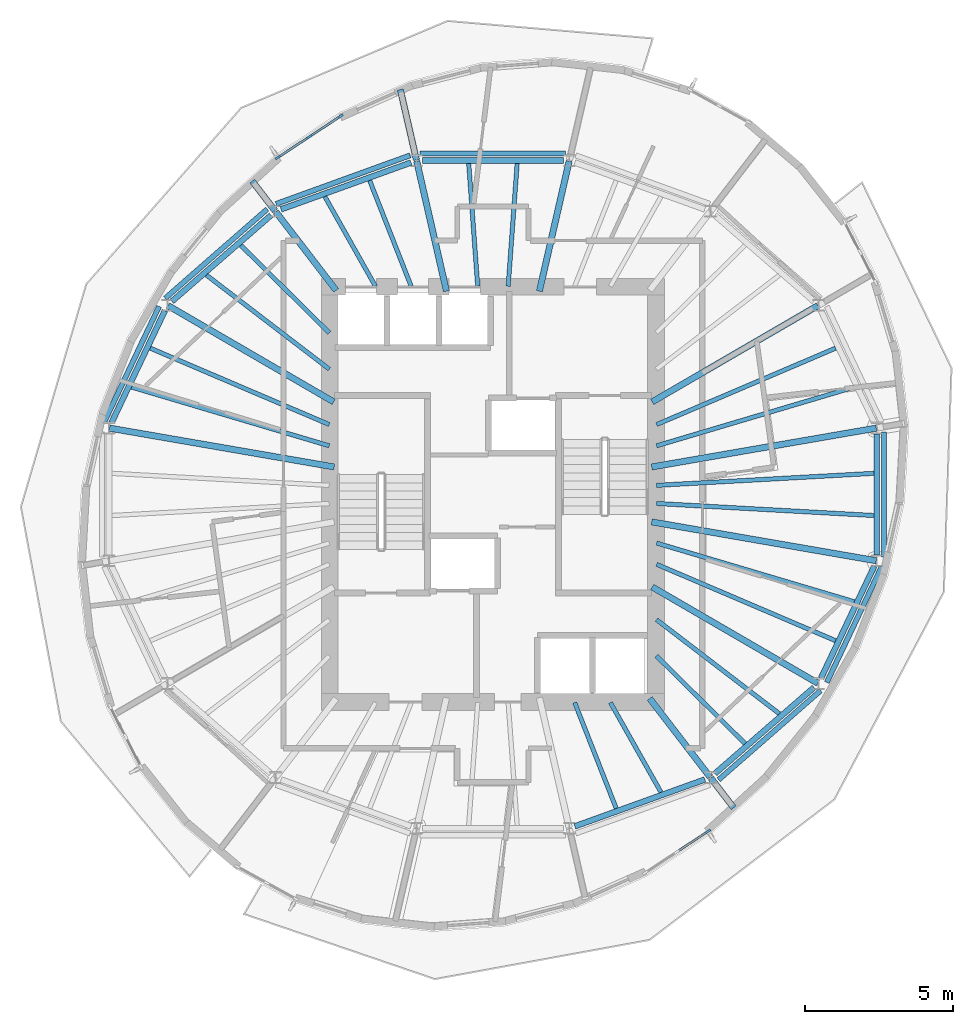
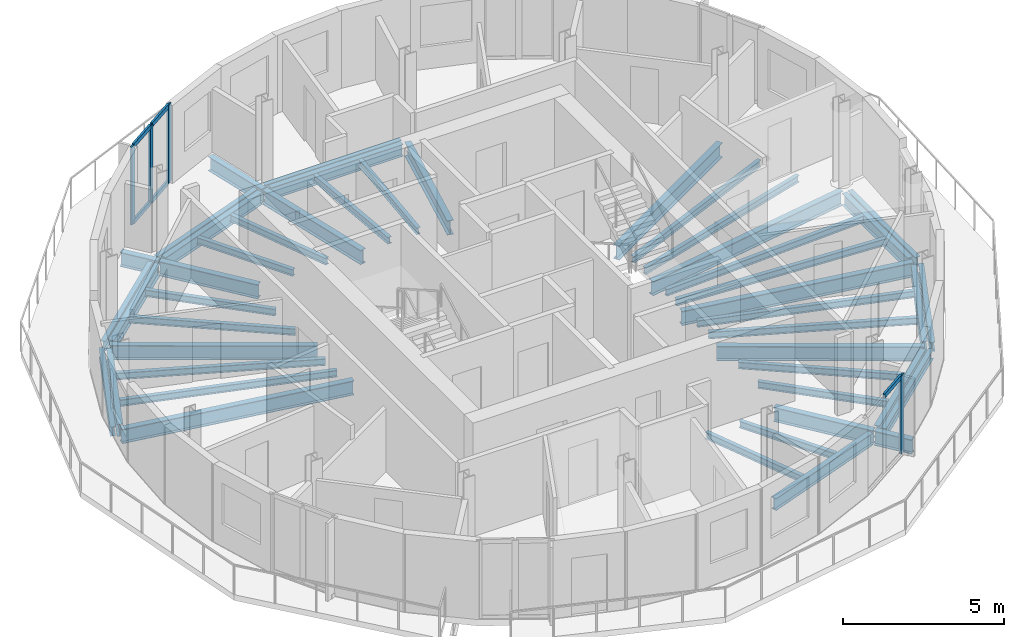
# One storey, part 2 of 11: 46 beams, 9 members, 2 elements without a shape of their own.
"""IFC4 building model written with IfcOpenShell, lengths in metres."""

from ifc_helpers import new_model, si_unit, direction, frame, origin, origin_2d, place, context, subcontext, project, spatial, rectangle, i_section, extrude, material, material_profile, profile_set, type_object, element, aggregate, save


model = new_model("IFC4")

# Units and contexts
model_context = context("Model", 3, precision=1e-05, world=origin(), true_north=direction((0.0, 1.0)))
body_context = subcontext(model_context, "Body", "Model", "MODEL_VIEW")
ifc_project = project(units=[si_unit("LENGTHUNIT", "METRE"), si_unit("AREAUNIT", "SQUARE_METRE"), si_unit("VOLUMEUNIT", "CUBIC_METRE"), si_unit("PLANEANGLEUNIT", "RADIAN"), si_unit("MASSUNIT", "GRAM", prefix="KILO")], contexts=[model_context])

# Site, building, storey
site_placement = place(None, origin())
site = spatial("IfcSite", under=ifc_project, at=site_placement, CompositionType="ELEMENT")
building_placement = place(site_placement, origin())
building = spatial("IfcBuilding", under=site, at=building_placement, Name="Veldorim Arch Residences", CompositionType="ELEMENT")
storey_placement = place(building_placement, frame((0.0, 0.0, 227.0400390625)))
storey = spatial("IfcBuildingStorey", under=building, at=storey_placement, Name="L68", CompositionType="ELEMENT", Elevation=227.0400390625)

# Beams
ifc_material_1 = material(Name="Steel S355", Category="steel")
ifc_material_profile_1 = material_profile(ifc_material_1, i_section(OverallWidth=0.2119140625, OverallDepth=0.54443359375, WebThickness=0.0126953125, FlangeThickness=0.021240234375, at=origin_2d()), Name="UB533x210x122")
ifc_profile_set_1 = profile_set([ifc_material_profile_1], Name="Steel S355")
beam_type_1 = type_object("IfcBeamType", Name="Structural Steel Beam UB533x210x122", PredefinedType="BEAM", material=ifc_profile_set_1)
beam_1_placement = place(storey_placement, frame((37.352294921875, 24.92578125, -0.512451171875), z_axis=(0.985364974081, 0.170457818401, 0.0), x_axis=(-0.170457818401, 0.985364974081, 0.0)))
element("IfcBeam", 1, at=beam_1_placement, inside=storey, type_object=beam_type_1, Name="L68 radial floor girder 01", PredefinedType="BEAM", context=body_context, shape_type="SweptSolid", body=[
    extrude(i_section(OverallWidth=0.2119140625, OverallDepth=0.54443359375, WebThickness=0.0126953125, FlangeThickness=0.021240234375, at=origin_2d()), origin(), (0.0, 0.0, 1.0), 7.68701171875),
])
beam_2_placement = place(storey_placement, frame((37.370361328125, 27.12060546875, -0.512451171875), z_axis=(0.864595736304, 0.502468121142, 0.0), x_axis=(-0.502468121142, 0.864595736304, 0.0)))
element("IfcBeam", 2, at=beam_2_placement, inside=storey, type_object=beam_type_1, Name="L68 radial floor girder 02", PredefinedType="BEAM", context=body_context, shape_type="SweptSolid", body=[
    extrude(i_section(OverallWidth=0.2119140625, OverallDepth=0.54443359375, WebThickness=0.0126953125, FlangeThickness=0.021240234375, at=origin_2d()), origin(), (0.0, 0.0, 1.0), 6.462646484375),
])
for number, where, z_axis, x_axis, name in (
    (3, (33.567626953125, 30.853759765625, -0.512451171875), (0.222952976993, 0.97482920045, 0.0), (-0.97482920045, 0.222952976993, 0.0), "L68 radial floor girder 04"),
    (4, (30.432373046875, 30.853759765625, -0.512451171875), (-0.222952976993, 0.97482920045, 0.0), (-0.97482920045, -0.222952976993, 0.0), "L68 radial floor girder 05"),
):
    element("IfcBeam", number, at=place(storey_placement, frame(where, z_axis=z_axis, x_axis=x_axis)), inside=storey, type_object=beam_type_1, Name=name, PredefinedType="BEAM", context=body_context, shape_type="SweptSolid", body=[
        extrude(i_section(OverallWidth=0.2119140625, OverallDepth=0.54443359375, WebThickness=0.0126953125, FlangeThickness=0.021240234375, at=origin_2d()), origin(), (0.0, 0.0, 1.0), 4.49951171875),
    ])
beam_3_placement = place(storey_placement, frame((29.42041015625, 35.27880859375, -0.512451171875), z_axis=(-0.222985349642, 0.974821795943, 0.0), x_axis=(-0.974821795943, -0.222985349642, 0.0)))
element("IfcBeam", 5, at=beam_3_placement, inside=storey, type_object=beam_type_1, Name="L68 radial edge cantilever girder 05", PredefinedType="BEAM", context=body_context, shape_type="SweptSolid", body=[
    extrude(i_section(OverallWidth=0.2119140625, OverallDepth=0.54443359375, WebThickness=0.0126953125, FlangeThickness=0.021240234375, at=origin_2d()), origin(), (0.0, 0.0, 1.0), 2.43603515625),
])
beam_4_placement = place(storey_placement, frame((26.71337890625, 30.881103515625, -0.512451171875), z_axis=(-0.609258442308, 0.792971721108, 0.0), x_axis=(-0.792971721108, -0.609258442308, 0.0)))
element("IfcBeam", 6, at=beam_4_placement, inside=storey, type_object=beam_type_1, Name="L68 radial floor girder 06", PredefinedType="BEAM", context=body_context, shape_type="SweptSolid", body=[
    extrude(i_section(OverallWidth=0.2119140625, OverallDepth=0.54443359375, WebThickness=0.0126953125, FlangeThickness=0.021240234375, at=origin_2d()), origin(), (0.0, 0.0, 1.0), 3.339599609375),
])
beam_5_placement = place(storey_placement, frame((24.654296875, 33.561279296875, -0.512451171875), z_axis=(-0.609348059257, 0.792902858287, 0.0), x_axis=(-0.792902858287, -0.609348059257, 0.0)))
element("IfcBeam", 7, at=beam_5_placement, inside=storey, type_object=beam_type_1, Name="L68 radial edge cantilever girder 06", PredefinedType="BEAM", context=body_context, shape_type="SweptSolid", body=[
    extrude(i_section(OverallWidth=0.2119140625, OverallDepth=0.54443359375, WebThickness=0.0126953125, FlangeThickness=0.021240234375, at=origin_2d()), origin(), (0.0, 0.0, 1.0), 1.268798828125),
])
beam_6_placement = place(storey_placement, frame((26.629638671875, 27.12060546875, -0.512451171875), z_axis=(-0.864595736304, 0.502468121142, 0.0), x_axis=(-0.502468121142, -0.864595736304, 0.0)))
element("IfcBeam", 8, at=beam_6_placement, inside=storey, type_object=beam_type_1, Name="L68 radial floor girder 07", PredefinedType="BEAM", context=body_context, shape_type="SweptSolid", body=[
    extrude(i_section(OverallWidth=0.2119140625, OverallDepth=0.54443359375, WebThickness=0.0126953125, FlangeThickness=0.021240234375, at=origin_2d()), origin(), (0.0, 0.0, 1.0), 6.462646484375),
])
beam_7_placement = place(storey_placement, frame((26.647705078125, 24.92578125, -0.512451171875), z_axis=(-0.985364974081, 0.170457818401, 0.0), x_axis=(-0.170457818401, -0.985364974081, 0.0)))
element("IfcBeam", 9, at=beam_7_placement, inside=storey, type_object=beam_type_1, Name="L68 radial floor girder 08", PredefinedType="BEAM", context=body_context, shape_type="SweptSolid", body=[
    extrude(i_section(OverallWidth=0.2119140625, OverallDepth=0.54443359375, WebThickness=0.0126953125, FlangeThickness=0.021240234375, at=origin_2d()), origin(), (0.0, 0.0, 1.0), 7.68701171875),
])
beam_8_placement = place(storey_placement, frame((37.28662109375, 17.118896484375, -0.512451171875), z_axis=(0.609258442308, -0.792971721108, 0.0), x_axis=(0.792971721108, 0.609258442308, 0.0)))
element("IfcBeam", 10, at=beam_8_placement, inside=storey, type_object=beam_type_1, Name="L68 radial floor girder 14", PredefinedType="BEAM", context=body_context, shape_type="SweptSolid", body=[
    extrude(i_section(OverallWidth=0.2119140625, OverallDepth=0.54443359375, WebThickness=0.0126953125, FlangeThickness=0.021240234375, at=origin_2d()), origin(), (0.0, 0.0, 1.0), 3.339599609375),
])
beam_9_placement = place(storey_placement, frame((39.345703125, 14.438720703125, -0.512451171875), z_axis=(0.609348059257, -0.792902858287, 0.0), x_axis=(0.792902858287, 0.609348059257, 0.0)))
element("IfcBeam", 11, at=beam_9_placement, inside=storey, type_object=beam_type_1, Name="L68 radial edge cantilever girder 14", PredefinedType="BEAM", context=body_context, shape_type="SweptSolid", body=[
    extrude(i_section(OverallWidth=0.2119140625, OverallDepth=0.54443359375, WebThickness=0.0126953125, FlangeThickness=0.021240234375, at=origin_2d()), origin(), (0.0, 0.0, 1.0), 1.268798828125),
])
beam_10_placement = place(storey_placement, frame((37.370361328125, 20.87939453125, -0.512451171875), z_axis=(0.864595736304, -0.502468121142, 0.0), x_axis=(0.502468121142, 0.864595736304, 0.0)))
element("IfcBeam", 12, at=beam_10_placement, inside=storey, type_object=beam_type_1, Name="L68 radial floor girder 15", PredefinedType="BEAM", context=body_context, shape_type="SweptSolid", body=[
    extrude(i_section(OverallWidth=0.2119140625, OverallDepth=0.54443359375, WebThickness=0.0126953125, FlangeThickness=0.021240234375, at=origin_2d()), origin(), (0.0, 0.0, 1.0), 6.462646484375),
])
beam_11_placement = place(storey_placement, frame((37.352294921875, 23.07421875, -0.512451171875), z_axis=(0.985364974081, -0.170457818401, 0.0), x_axis=(0.170457818401, 0.985364974081, 0.0)))
element("IfcBeam", 13, at=beam_11_placement, inside=storey, type_object=beam_type_1, Name="L68 radial floor girder 16", PredefinedType="BEAM", context=body_context, shape_type="SweptSolid", body=[
    extrude(i_section(OverallWidth=0.2119140625, OverallDepth=0.54443359375, WebThickness=0.0126953125, FlangeThickness=0.021240234375, at=origin_2d()), origin(), (0.0, 0.0, 1.0), 7.68701171875),
])
ifc_material_2 = material(Name="Steel S355", Category="steel")
ifc_material_profile_2 = material_profile(ifc_material_2, i_section(OverallWidth=0.146484375, OverallDepth=0.256103515625, WebThickness=0.00634765625, FlangeThickness=0.010986328125, at=origin_2d()), Name="UB254x146x37")
ifc_profile_set_2 = profile_set([ifc_material_profile_2], Name="Steel S355")
beam_type_2 = type_object("IfcBeamType", Name="Structural Steel Joist UB254x146x37", PredefinedType="JOIST", material=ifc_profile_set_2)
beam_12_placement = place(storey_placement, frame((37.519287109375, 25.639404296875, -0.367919921875), z_axis=(0.958594432792, 0.284774846889, 0.0), x_axis=(-0.284774846889, 0.958594432792, 0.0)))
element("IfcBeam", 14, at=beam_12_placement, inside=storey, type_object=beam_type_2, Name="L68 secondary radial floor joist 01-1", PredefinedType="JOIST", context=body_context, shape_type="SweptSolid", body=[
    extrude(i_section(OverallWidth=0.146484375, OverallDepth=0.256103515625, WebThickness=0.00634765625, FlangeThickness=0.010986328125, at=origin_2d()), origin(), (0.0, 0.0, 1.0), 6.949462890625),
])
beam_13_placement = place(storey_placement, frame((37.518310546875, 26.355712890625, -0.367919921875), z_axis=(0.919725161652, 0.392562895629, 0.0), x_axis=(-0.392562895629, 0.919725161652, 0.0)))
element("IfcBeam", 15, at=beam_13_placement, inside=storey, type_object=beam_type_2, Name="L68 secondary radial floor joist 01-2", PredefinedType="JOIST", context=body_context, shape_type="SweptSolid", body=[
    extrude(i_section(OverallWidth=0.146484375, OverallDepth=0.256103515625, WebThickness=0.00634765625, FlangeThickness=0.010986328125, at=origin_2d()), origin(), (0.0, 0.0, 1.0), 6.5625),
])
for number, where, z_axis, x_axis, name in (
    (16, (32.513916015625, 31.02001953125, -0.367919921875), (0.072985625899, 0.997332992742, 0.0), (-0.997332992742, 0.072985625899, 0.0), "L68 secondary radial floor joist 04-1"),
    (17, (31.486083984375, 31.02001953125, -0.367919921875), (-0.072985625899, 0.997332992742, 0.0), (-0.997332992742, -0.072985625899, 0.0), "L68 secondary radial floor joist 04-2"),
):
    element("IfcBeam", number, at=place(storey_placement, frame(where, z_axis=z_axis, x_axis=x_axis)), inside=storey, type_object=beam_type_2, Name=name, PredefinedType="JOIST", context=body_context, shape_type="SweptSolid", body=[
        extrude(i_section(OverallWidth=0.146484375, OverallDepth=0.256103515625, WebThickness=0.00634765625, FlangeThickness=0.010986328125, at=origin_2d()), origin(), (0.0, 0.0, 1.0), 4.151123046875),
    ])
beam_14_placement = place(storey_placement, frame((29.24365234375, 31.0185546875, -0.367919921875), z_axis=(-0.365581383042, 0.930779379001, 0.0), x_axis=(-0.930779379001, -0.365581383042, 0.0)))
element("IfcBeam", 18, at=beam_14_placement, inside=storey, type_object=beam_type_2, Name="L68 secondary radial floor joist 05-1", PredefinedType="JOIST", context=body_context, shape_type="SweptSolid", body=[
    extrude(i_section(OverallWidth=0.146484375, OverallDepth=0.256103515625, WebThickness=0.00634765625, FlangeThickness=0.010986328125, at=origin_2d()), origin(), (0.0, 0.0, 1.0), 3.83056640625),
])
beam_15_placement = place(storey_placement, frame((28.039794921875, 31.017333984375, -0.367919921875), z_axis=(-0.491452469585, 0.870904397818, 0.0), x_axis=(-0.870904397818, -0.491452469585, 0.0)))
element("IfcBeam", 19, at=beam_15_placement, inside=storey, type_object=beam_type_2, Name="L68 secondary radial floor joist 05-2", PredefinedType="JOIST", context=body_context, shape_type="SweptSolid", body=[
    extrude(i_section(OverallWidth=0.146484375, OverallDepth=0.256103515625, WebThickness=0.00634765625, FlangeThickness=0.010986328125, at=origin_2d()), origin(), (0.0, 0.0, 1.0), 3.472412109375),
])
beam_16_placement = place(storey_placement, frame((26.48583984375, 29.44775390625, -0.367919921875), z_axis=(-0.711396725432, 0.702790650937, 0.0), x_axis=(-0.702790650937, -0.711396725432, 0.0)))
element("IfcBeam", 20, at=beam_16_placement, inside=storey, type_object=beam_type_2, Name="L68 secondary radial floor joist 06-1", PredefinedType="JOIST", context=body_context, shape_type="SweptSolid", body=[
    extrude(i_section(OverallWidth=0.146484375, OverallDepth=0.256103515625, WebThickness=0.00634765625, FlangeThickness=0.010986328125, at=origin_2d()), origin(), (0.0, 0.0, 1.0), 4.198486328125),
])
beam_17_placement = place(storey_placement, frame((26.484130859375, 28.222900390625, -0.367919921875), z_axis=(-0.794013672216, 0.607899899929, 0.0), x_axis=(-0.607899899929, -0.794013672216, 0.0)))
element("IfcBeam", 21, at=beam_17_placement, inside=storey, type_object=beam_type_2, Name="L68 secondary radial floor joist 06-2", PredefinedType="JOIST", context=body_context, shape_type="SweptSolid", body=[
    extrude(i_section(OverallWidth=0.146484375, OverallDepth=0.256103515625, WebThickness=0.00634765625, FlangeThickness=0.010986328125, at=origin_2d()), origin(), (0.0, 0.0, 1.0), 5.217041015625),
])
beam_18_placement = place(storey_placement, frame((26.481689453125, 26.355712890625, -0.367919921875), z_axis=(-0.919725161652, 0.392562895629, 0.0), x_axis=(-0.392562895629, -0.919725161652, 0.0)))
element("IfcBeam", 22, at=beam_18_placement, inside=storey, type_object=beam_type_2, Name="L68 secondary radial floor joist 07-1", PredefinedType="JOIST", context=body_context, shape_type="SweptSolid", body=[
    extrude(i_section(OverallWidth=0.146484375, OverallDepth=0.256103515625, WebThickness=0.00634765625, FlangeThickness=0.010986328125, at=origin_2d()), origin(), (0.0, 0.0, 1.0), 6.5625),
])
beam_19_placement = place(storey_placement, frame((26.480712890625, 25.639404296875, -0.367919921875), z_axis=(-0.958594432792, 0.284774846889, 0.0), x_axis=(-0.284774846889, -0.958594432792, 0.0)))
element("IfcBeam", 23, at=beam_19_placement, inside=storey, type_object=beam_type_2, Name="L68 secondary radial floor joist 07-2", PredefinedType="JOIST", context=body_context, shape_type="SweptSolid", body=[
    extrude(i_section(OverallWidth=0.146484375, OverallDepth=0.256103515625, WebThickness=0.00634765625, FlangeThickness=0.010986328125, at=origin_2d()), origin(), (0.0, 0.0, 1.0), 6.949462890625),
])
beam_20_placement = place(storey_placement, frame((34.75634765625, 16.9814453125, -0.367919921875), z_axis=(0.365581383042, -0.930779379001, 0.0), x_axis=(0.930779379001, 0.365581383042, 0.0)))
element("IfcBeam", 24, at=beam_20_placement, inside=storey, type_object=beam_type_2, Name="L68 secondary radial floor joist 13-1", PredefinedType="JOIST", context=body_context, shape_type="SweptSolid", body=[
    extrude(i_section(OverallWidth=0.146484375, OverallDepth=0.256103515625, WebThickness=0.00634765625, FlangeThickness=0.010986328125, at=origin_2d()), origin(), (0.0, 0.0, 1.0), 3.83056640625),
])
beam_21_placement = place(storey_placement, frame((35.960205078125, 16.982666015625, -0.367919921875), z_axis=(0.491452469585, -0.870904397818, 0.0), x_axis=(0.870904397818, 0.491452469585, 0.0)))
element("IfcBeam", 25, at=beam_21_placement, inside=storey, type_object=beam_type_2, Name="L68 secondary radial floor joist 13-2", PredefinedType="JOIST", context=body_context, shape_type="SweptSolid", body=[
    extrude(i_section(OverallWidth=0.146484375, OverallDepth=0.256103515625, WebThickness=0.00634765625, FlangeThickness=0.010986328125, at=origin_2d()), origin(), (0.0, 0.0, 1.0), 3.472412109375),
])
beam_22_placement = place(storey_placement, frame((37.51416015625, 18.55224609375, -0.367919921875), z_axis=(0.711396725432, -0.702790650937, 0.0), x_axis=(0.702790650937, 0.711396725432, 0.0)))
element("IfcBeam", 26, at=beam_22_placement, inside=storey, type_object=beam_type_2, Name="L68 secondary radial floor joist 14-1", PredefinedType="JOIST", context=body_context, shape_type="SweptSolid", body=[
    extrude(i_section(OverallWidth=0.146484375, OverallDepth=0.256103515625, WebThickness=0.00634765625, FlangeThickness=0.010986328125, at=origin_2d()), origin(), (0.0, 0.0, 1.0), 4.198486328125),
])
beam_23_placement = place(storey_placement, frame((37.515869140625, 19.777099609375, -0.367919921875), z_axis=(0.794013672216, -0.607899899929, 0.0), x_axis=(0.607899899929, 0.794013672216, 0.0)))
element("IfcBeam", 27, at=beam_23_placement, inside=storey, type_object=beam_type_2, Name="L68 secondary radial floor joist 14-2", PredefinedType="JOIST", context=body_context, shape_type="SweptSolid", body=[
    extrude(i_section(OverallWidth=0.146484375, OverallDepth=0.256103515625, WebThickness=0.00634765625, FlangeThickness=0.010986328125, at=origin_2d()), origin(), (0.0, 0.0, 1.0), 5.217041015625),
])
beam_24_placement = place(storey_placement, frame((37.518310546875, 21.644287109375, -0.367919921875), z_axis=(0.919725161652, -0.392562895629, 0.0), x_axis=(0.392562895629, 0.919725161652, 0.0)))
element("IfcBeam", 28, at=beam_24_placement, inside=storey, type_object=beam_type_2, Name="L68 secondary radial floor joist 15-1", PredefinedType="JOIST", context=body_context, shape_type="SweptSolid", body=[
    extrude(i_section(OverallWidth=0.146484375, OverallDepth=0.256103515625, WebThickness=0.00634765625, FlangeThickness=0.010986328125, at=origin_2d()), origin(), (0.0, 0.0, 1.0), 6.5625),
])
beam_25_placement = place(storey_placement, frame((37.519287109375, 22.360595703125, -0.367919921875), z_axis=(0.958594432792, -0.284774846889, 0.0), x_axis=(0.284774846889, 0.958594432792, 0.0)))
element("IfcBeam", 29, at=beam_25_placement, inside=storey, type_object=beam_type_2, Name="L68 secondary radial floor joist 15-2", PredefinedType="JOIST", context=body_context, shape_type="SweptSolid", body=[
    extrude(i_section(OverallWidth=0.146484375, OverallDepth=0.256103515625, WebThickness=0.00634765625, FlangeThickness=0.010986328125, at=origin_2d()), origin(), (0.0, 0.0, 1.0), 6.949462890625),
])
for number, where, z_axis, x_axis, name in (
    (30, (37.52001953125, 23.6943359375, -0.367919921875), (0.998472000884, -0.055259962464, 0.0), (0.055259962464, 0.998472000884, 0.0), "L68 secondary radial floor joist 16-1"),
    (31, (37.52001953125, 24.3056640625, -0.367919921875), (0.998472000884, 0.055259962464, 0.0), (-0.055259962464, 0.998472000884, 0.0), "L68 secondary radial floor joist 16-2"),
):
    element("IfcBeam", number, at=place(storey_placement, frame(where, z_axis=z_axis, x_axis=x_axis)), inside=storey, type_object=beam_type_2, Name=name, PredefinedType="JOIST", context=body_context, shape_type="SweptSolid", body=[
        extrude(i_section(OverallWidth=0.146484375, OverallDepth=0.256103515625, WebThickness=0.00634765625, FlangeThickness=0.010986328125, at=origin_2d()), origin(), (0.0, 0.0, 1.0), 7.33837890625),
    ])
ifc_material_3 = material(Name="Steel S355", Category="steel")
ifc_material_profile_3 = material_profile(ifc_material_3, i_section(OverallWidth=0.172119140625, OverallDepth=0.35791015625, WebThickness=0.008056640625, FlangeThickness=0.012939453125, at=origin_2d()), Name="UB356x171x57")
ifc_profile_set_3 = profile_set([ifc_material_profile_3], Name="Steel S355")
beam_type_3 = type_object("IfcBeamType", Name="Structural Steel Spandrel UB356x171x57", PredefinedType="SPANDREL", material=ifc_profile_set_3)
beam_26_placement = place(storey_placement, frame((34.453125, 35.493408203125, -0.43896484375), z_axis=(-1.0, 0.0, 0.0), x_axis=(0.0, -1.0, 0.0)))
element("IfcBeam", 32, at=beam_26_placement, inside=storey, type_object=beam_type_3, Name="L68 perimeter chord spandrel beam 04", PredefinedType="SPANDREL", context=body_context, shape_type="SweptSolid", body=[
    extrude(i_section(OverallWidth=0.172119140625, OverallDepth=0.35791015625, WebThickness=0.008056640625, FlangeThickness=0.012939453125, at=origin_2d()), origin(), (0.0, 0.0, 1.0), 4.90625),
])
beam_27_placement = place(storey_placement, frame((29.206298828125, 35.43359375, -0.43896484375), z_axis=(-0.940181197783, -0.340674794099, 0.0), x_axis=(0.340674794099, -0.940181197783, 0.0)))
element("IfcBeam", 33, at=beam_27_placement, inside=storey, type_object=beam_type_3, Name="L68 perimeter chord spandrel beam 05", PredefinedType="SPANDREL", context=body_context, shape_type="SweptSolid", body=[
    extrude(i_section(OverallWidth=0.172119140625, OverallDepth=0.35791015625, WebThickness=0.008056640625, FlangeThickness=0.012939453125, at=origin_2d()), origin(), (0.0, 0.0, 1.0), 4.80859375),
])
beam_28_placement = place(storey_placement, frame((24.38818359375, 33.6201171875, -0.43896484375), z_axis=(-0.752901089301, -0.658133686821, 0.0), x_axis=(0.658133686821, -0.752901089301, 0.0)))
element("IfcBeam", 34, at=beam_28_placement, inside=storey, type_object=beam_type_3, Name="L68 perimeter chord spandrel beam 06", PredefinedType="SPANDREL", context=body_context, shape_type="SweptSolid", body=[
    extrude(i_section(OverallWidth=0.172119140625, OverallDepth=0.35791015625, WebThickness=0.008056640625, FlangeThickness=0.012939453125, at=origin_2d()), origin(), (0.0, 0.0, 1.0), 4.567626953125),
])
beam_29_placement = place(storey_placement, frame((20.741943359375, 30.33984375, -0.43896484375), z_axis=(-0.428453398876, -0.903563879862, 0.0), x_axis=(0.903563879862, -0.428453398876, 0.0)))
element("IfcBeam", 35, at=beam_29_placement, inside=storey, type_object=beam_type_3, Name="L68 perimeter chord spandrel beam 07", PredefinedType="SPANDREL", context=body_context, shape_type="SweptSolid", body=[
    extrude(i_section(OverallWidth=0.172119140625, OverallDepth=0.35791015625, WebThickness=0.008056640625, FlangeThickness=0.012939453125, at=origin_2d()), origin(), (0.0, 0.0, 1.0), 4.31689453125),
])
beam_30_placement = place(storey_placement, frame((39.61181640625, 14.3798828125, -0.43896484375), z_axis=(0.752901089301, 0.658133686821, 0.0), x_axis=(-0.658133686821, 0.752901089301, 0.0)))
element("IfcBeam", 36, at=beam_30_placement, inside=storey, type_object=beam_type_3, Name="L68 perimeter chord spandrel beam 14", PredefinedType="SPANDREL", context=body_context, shape_type="SweptSolid", body=[
    extrude(i_section(OverallWidth=0.172119140625, OverallDepth=0.35791015625, WebThickness=0.008056640625, FlangeThickness=0.012939453125, at=origin_2d()), origin(), (0.0, 0.0, 1.0), 4.567626953125),
])
beam_31_placement = place(storey_placement, frame((43.258056640625, 17.66015625, -0.43896484375), z_axis=(0.428453398876, 0.903563879862, 0.0), x_axis=(-0.903563879862, 0.428453398876, 0.0)))
element("IfcBeam", 37, at=beam_31_placement, inside=storey, type_object=beam_type_3, Name="L68 perimeter chord spandrel beam 15", PredefinedType="SPANDREL", context=body_context, shape_type="SweptSolid", body=[
    extrude(i_section(OverallWidth=0.172119140625, OverallDepth=0.35791015625, WebThickness=0.008056640625, FlangeThickness=0.012939453125, at=origin_2d()), origin(), (0.0, 0.0, 1.0), 4.31689453125),
])
beam_32_placement = place(storey_placement, frame((45.182861328125, 21.89501953125, -0.43896484375), z_axis=(0.0, 1.0, 0.0), x_axis=(-1.0, 0.0, 0.0)))
element("IfcBeam", 38, at=beam_32_placement, inside=storey, type_object=beam_type_3, Name="L68 perimeter chord spandrel beam 16", PredefinedType="SPANDREL", context=body_context, shape_type="SweptSolid", body=[
    extrude(i_section(OverallWidth=0.172119140625, OverallDepth=0.35791015625, WebThickness=0.008056640625, FlangeThickness=0.012939453125, at=origin_2d()), origin(), (0.0, 0.0, 1.0), 4.2099609375),
])
ifc_material_4 = material(Name="Steel S355", Category="steel")
ifc_material_profile_4 = material_profile(ifc_material_4, i_section(OverallWidth=0.19140625, OverallDepth=0.4599609375, WebThickness=0.010009765625, FlangeThickness=0.01611328125, at=origin_2d()), Name="UB457x191x82")
ifc_profile_set_4 = profile_set([ifc_material_profile_4], Name="Steel S355")
beam_type_4 = type_object("IfcBeamType", Name="Structural Steel Spandrel UB457x191x82", PredefinedType="SPANDREL", material=ifc_profile_set_4)
beam_33_placement = place(storey_placement, frame((34.375732421875, 35.259521484375, -0.469970703125), z_axis=(-1.0, 0.0, 0.0), x_axis=(0.0, -1.0, 0.0)))
element("IfcBeam", 39, at=beam_33_placement, inside=storey, type_object=beam_type_4, Name="L68 perimeter ring tie beam 04", PredefinedType="SPANDREL", context=body_context, shape_type="SweptSolid", body=[
    extrude(i_section(OverallWidth=0.19140625, OverallDepth=0.4599609375, WebThickness=0.010009765625, FlangeThickness=0.01611328125, at=origin_2d()), origin(), (0.0, 0.0, 1.0), 4.75146484375),
])
beam_34_placement = place(storey_placement, frame((29.237060546875, 35.19189453125, -0.469970703125), z_axis=(-0.940799194754, -0.338964415757, 0.0), x_axis=(0.338964415757, -0.940799194754, 0.0)))
element("IfcBeam", 40, at=beam_34_placement, inside=storey, type_object=beam_type_4, Name="L68 perimeter ring tie beam 05", PredefinedType="SPANDREL", context=body_context, shape_type="SweptSolid", body=[
    extrude(i_section(OverallWidth=0.19140625, OverallDepth=0.4599609375, WebThickness=0.010009765625, FlangeThickness=0.01611328125, at=origin_2d()), origin(), (0.0, 0.0, 1.0), 4.65869140625),
])
beam_35_placement = place(storey_placement, frame((24.51611328125, 33.414306640625, -0.469970703125), z_axis=(-0.754578219063, -0.656210112171, 0.0), x_axis=(0.656210112171, -0.754578219063, 0.0)))
element("IfcBeam", 41, at=beam_35_placement, inside=storey, type_object=beam_type_4, Name="L68 perimeter ring tie beam 06", PredefinedType="SPANDREL", context=body_context, shape_type="SweptSolid", body=[
    extrude(i_section(OverallWidth=0.19140625, OverallDepth=0.4599609375, WebThickness=0.010009765625, FlangeThickness=0.01611328125, at=origin_2d()), origin(), (0.0, 0.0, 1.0), 4.427734375),
])
beam_36_placement = place(storey_placement, frame((20.938720703125, 30.19775390625, -0.469970703125), z_axis=(-0.42997887291, -0.902838949564, 0.0), x_axis=(0.902838949564, -0.42997887291, 0.0)))
element("IfcBeam", 42, at=beam_36_placement, inside=storey, type_object=beam_type_4, Name="L68 perimeter ring tie beam 07", PredefinedType="SPANDREL", context=body_context, shape_type="SweptSolid", body=[
    extrude(i_section(OverallWidth=0.19140625, OverallDepth=0.4599609375, WebThickness=0.010009765625, FlangeThickness=0.01611328125, at=origin_2d()), origin(), (0.0, 0.0, 1.0), 4.1845703125),
])
beam_37_placement = place(storey_placement, frame((34.762939453125, 12.80810546875, -0.469970703125), z_axis=(0.940799194754, 0.338964415757, 0.0), x_axis=(-0.338964415757, 0.940799194754, 0.0)))
element("IfcBeam", 43, at=beam_37_placement, inside=storey, type_object=beam_type_4, Name="L68 perimeter ring tie beam 13", PredefinedType="SPANDREL", context=body_context, shape_type="SweptSolid", body=[
    extrude(i_section(OverallWidth=0.19140625, OverallDepth=0.4599609375, WebThickness=0.010009765625, FlangeThickness=0.01611328125, at=origin_2d()), origin(), (0.0, 0.0, 1.0), 4.65869140625),
])
beam_38_placement = place(storey_placement, frame((39.48388671875, 14.585693359375, -0.469970703125), z_axis=(0.754578219063, 0.656210112171, 0.0), x_axis=(-0.656210112171, 0.754578219063, 0.0)))
element("IfcBeam", 44, at=beam_38_placement, inside=storey, type_object=beam_type_4, Name="L68 perimeter ring tie beam 14", PredefinedType="SPANDREL", context=body_context, shape_type="SweptSolid", body=[
    extrude(i_section(OverallWidth=0.19140625, OverallDepth=0.4599609375, WebThickness=0.010009765625, FlangeThickness=0.01611328125, at=origin_2d()), origin(), (0.0, 0.0, 1.0), 4.427734375),
])
beam_39_placement = place(storey_placement, frame((43.061279296875, 17.80224609375, -0.469970703125), z_axis=(0.42997887291, 0.902838949564, 0.0), x_axis=(-0.902838949564, 0.42997887291, 0.0)))
element("IfcBeam", 45, at=beam_39_placement, inside=storey, type_object=beam_type_4, Name="L68 perimeter ring tie beam 15", PredefinedType="SPANDREL", context=body_context, shape_type="SweptSolid", body=[
    extrude(i_section(OverallWidth=0.19140625, OverallDepth=0.4599609375, WebThickness=0.010009765625, FlangeThickness=0.01611328125, at=origin_2d()), origin(), (0.0, 0.0, 1.0), 4.1845703125),
])
beam_40_placement = place(storey_placement, frame((44.9462890625, 21.9599609375, -0.469970703125), z_axis=(0.0, 1.0, 0.0), x_axis=(-1.0, 0.0, 0.0)))
element("IfcBeam", 46, at=beam_40_placement, inside=storey, type_object=beam_type_4, Name="L68 perimeter ring tie beam 16", PredefinedType="SPANDREL", context=body_context, shape_type="SweptSolid", body=[
    extrude(i_section(OverallWidth=0.19140625, OverallDepth=0.4599609375, WebThickness=0.010009765625, FlangeThickness=0.01611328125, at=origin_2d()), origin(), (0.0, 0.0, 1.0), 4.080078125),
])

# Curtain wall, members
ifc_material_5 = material(Name="Aluminium", Category="aluminium")
curtain_wall_type = type_object("IfcCurtainWallType", Name="Zone 4 High-Altitude Unitised Curtain Wall", PredefinedType="NOTDEFINED", material=ifc_material_5)
curtain_wall_1_placement = place(storey_placement, origin())
curtain_wall_1 = element("IfcCurtainWall", 47, at=curtain_wall_1_placement, inside=storey, type_object=curtain_wall_type, Name="L68 unitised curtain wall bay 07", PredefinedType="NOTDEFINED")
ifc_material_6 = material(Name="Aluminium", Category="aluminium")
ifc_material_profile_5 = material_profile(ifc_material_6, rectangle(XDim=0.074951171875, YDim=0.195068359375, at=origin_2d()), Name="ALU_MUL_75x195")
ifc_profile_set_5 = profile_set([ifc_material_profile_5], Name="Aluminium")
member_type_1 = type_object("IfcMemberType", Name="Zone 4 High-Altitude Unitised Curtain Wall Mullion 75x195", PredefinedType="MULLION", material=ifc_profile_set_5)
member_1_placement = place(storey_placement, frame((24.7451171875, 35.36083984375, 0.0), z_axis=(0.0, 0.0, 1.0), x_axis=(-0.550061569233, 0.835124104582, 0.0)))
member_1 = element("IfcMember", 48, at=member_1_placement, type_object=member_type_1, Name="CW-Z4 mullion 1", PredefinedType="MULLION", context=body_context, shape_type="SweptSolid", body=[
    extrude(rectangle(XDim=0.074951171875, YDim=0.195068359375, at=origin_2d()), origin(), (0.0, 0.0, 1.0), 2.9599609375),
])
member_2_placement = place(storey_placement, frame((25.804443359375, 36.05859375, 0.0), z_axis=(0.0, 0.0, 1.0), x_axis=(-0.550061569233, 0.835124104582, 0.0)))
member_2 = element("IfcMember", 49, at=member_2_placement, type_object=member_type_1, Name="CW-Z4 mullion 2", PredefinedType="MULLION", context=body_context, shape_type="SweptSolid", body=[
    extrude(rectangle(XDim=0.074951171875, YDim=0.195068359375, at=origin_2d()), origin(), (0.0, 0.0, 1.0), 2.9599609375),
])
member_3_placement = place(storey_placement, frame((26.86376953125, 36.756103515625, 0.0), z_axis=(0.0, 0.0, 1.0), x_axis=(-0.550061569233, 0.835124104582, 0.0)))
member_3 = element("IfcMember", 50, at=member_3_placement, type_object=member_type_1, Name="CW-Z4 mullion 3", PredefinedType="MULLION", context=body_context, shape_type="SweptSolid", body=[
    extrude(rectangle(XDim=0.074951171875, YDim=0.195068359375, at=origin_2d()), origin(), (0.0, 0.0, 1.0), 2.9599609375),
])

# Curtain wall, member
curtain_wall_2_placement = place(storey_placement, origin())
curtain_wall_2 = element("IfcCurtainWall", 51, at=curtain_wall_2_placement, inside=storey, type_object=curtain_wall_type, Name="L68 unitised curtain wall bay 25", PredefinedType="NOTDEFINED")
member_4_placement = place(storey_placement, frame((39.2548828125, 12.63916015625, 0.0), z_axis=(0.0, 0.0, 1.0), x_axis=(0.550061569233, -0.835124104582, 0.0)))
member_4 = element("IfcMember", 52, at=member_4_placement, type_object=member_type_1, Name="CW-Z4 mullion 1", PredefinedType="MULLION", context=body_context, shape_type="SweptSolid", body=[
    extrude(rectangle(XDim=0.074951171875, YDim=0.195068359375, at=origin_2d()), origin(), (0.0, 0.0, 1.0), 2.9599609375),
])

# Member
ifc_material_7 = material(Name="Aluminium", Category="aluminium")
ifc_material_profile_6 = material_profile(ifc_material_7, rectangle(XDim=0.074951171875, YDim=0.1650390625, at=origin_2d()), Name="ALU_TRN_75x165")
ifc_profile_set_6 = profile_set([ifc_material_profile_6], Name="Aluminium")
member_type_2 = type_object("IfcMemberType", Name="Zone 4 High-Altitude Unitised Curtain Wall Transom 75x165", PredefinedType="USERDEFINED", material=ifc_profile_set_6)
member_5_placement = place(storey_placement, frame((24.776611328125, 35.38134765625, 0.037353515625), z_axis=(0.835090637281, 0.55011237718, 0.0), x_axis=(-0.55011237718, 0.835090637281, 0.0)))
member_5 = element("IfcMember", 53, at=member_5_placement, type_object=member_type_2, Name="CW-Z4 transom 1.1", ObjectType="TRANSOM", PredefinedType="USERDEFINED", context=body_context, shape_type="SweptSolid", body=[
    extrude(rectangle(XDim=0.074951171875, YDim=0.1650390625, at=origin_2d()), origin(), (0.0, 0.0, 1.0), 1.193359375),
])

member_6_placement = place(storey_placement, frame((24.776611328125, 35.38134765625, 2.92236328125), z_axis=(0.835090637281, 0.55011237718, 0.0), x_axis=(-0.55011237718, 0.835090637281, 0.0)))
member_6 = element("IfcMember", 54, at=member_6_placement, type_object=member_type_2, Name="CW-Z4 transom 1.2", ObjectType="TRANSOM", PredefinedType="USERDEFINED", context=body_context, shape_type="SweptSolid", body=[
    extrude(rectangle(XDim=0.074951171875, YDim=0.1650390625, at=origin_2d()), origin(), (0.0, 0.0, 1.0), 1.193359375),
])

member_7_placement = place(storey_placement, frame((25.835693359375, 36.0791015625, 0.037353515625), z_axis=(0.835090637281, 0.55011237718, 0.0), x_axis=(-0.55011237718, 0.835090637281, 0.0)))
member_7 = element("IfcMember", 55, at=member_7_placement, type_object=member_type_2, Name="CW-Z4 transom 2.1", ObjectType="TRANSOM", PredefinedType="USERDEFINED", context=body_context, shape_type="SweptSolid", body=[
    extrude(rectangle(XDim=0.074951171875, YDim=0.1650390625, at=origin_2d()), origin(), (0.0, 0.0, 1.0), 1.193359375),
])

member_8_placement = place(storey_placement, frame((25.835693359375, 36.0791015625, 2.92236328125), z_axis=(0.835090637281, 0.55011237718, 0.0), x_axis=(-0.55011237718, 0.835090637281, 0.0)))
member_8 = element("IfcMember", 56, at=member_8_placement, type_object=member_type_2, Name="CW-Z4 transom 2.2", ObjectType="TRANSOM", PredefinedType="USERDEFINED", context=body_context, shape_type="SweptSolid", body=[
    extrude(rectangle(XDim=0.074951171875, YDim=0.1650390625, at=origin_2d()), origin(), (0.0, 0.0, 1.0), 1.193359375),
])

aggregate(curtain_wall_1, [member_1, member_2, member_3, member_5, member_6, member_7, member_8])

member_9_placement = place(storey_placement, frame((39.223388671875, 12.61865234375, 2.92236328125), z_axis=(-0.835090637281, -0.55011237718, 0.0), x_axis=(0.55011237718, -0.835090637281, 0.0)))
member_9 = element("IfcMember", 57, at=member_9_placement, type_object=member_type_2, Name="CW-Z4 transom 1.2", ObjectType="TRANSOM", PredefinedType="USERDEFINED", context=body_context, shape_type="SweptSolid", body=[
    extrude(rectangle(XDim=0.074951171875, YDim=0.1650390625, at=origin_2d()), origin(), (0.0, 0.0, 1.0), 1.193359375),
])

aggregate(curtain_wall_2, [member_4, member_9])

save(model, "model.ifc")
